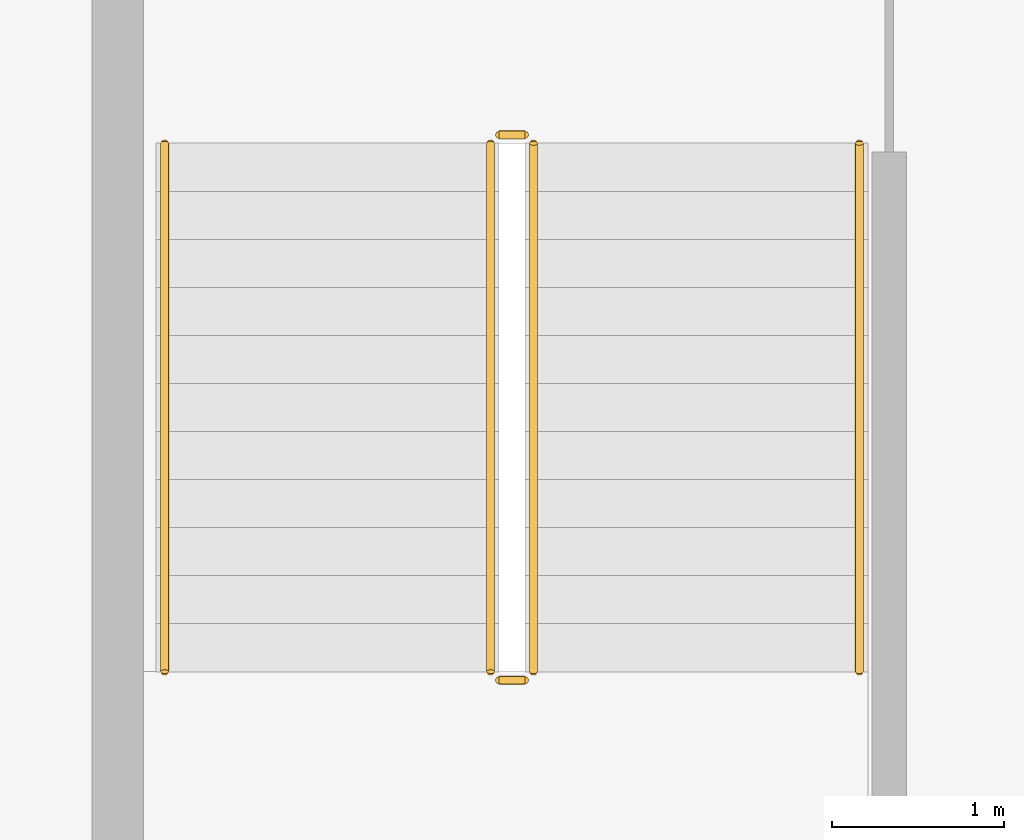
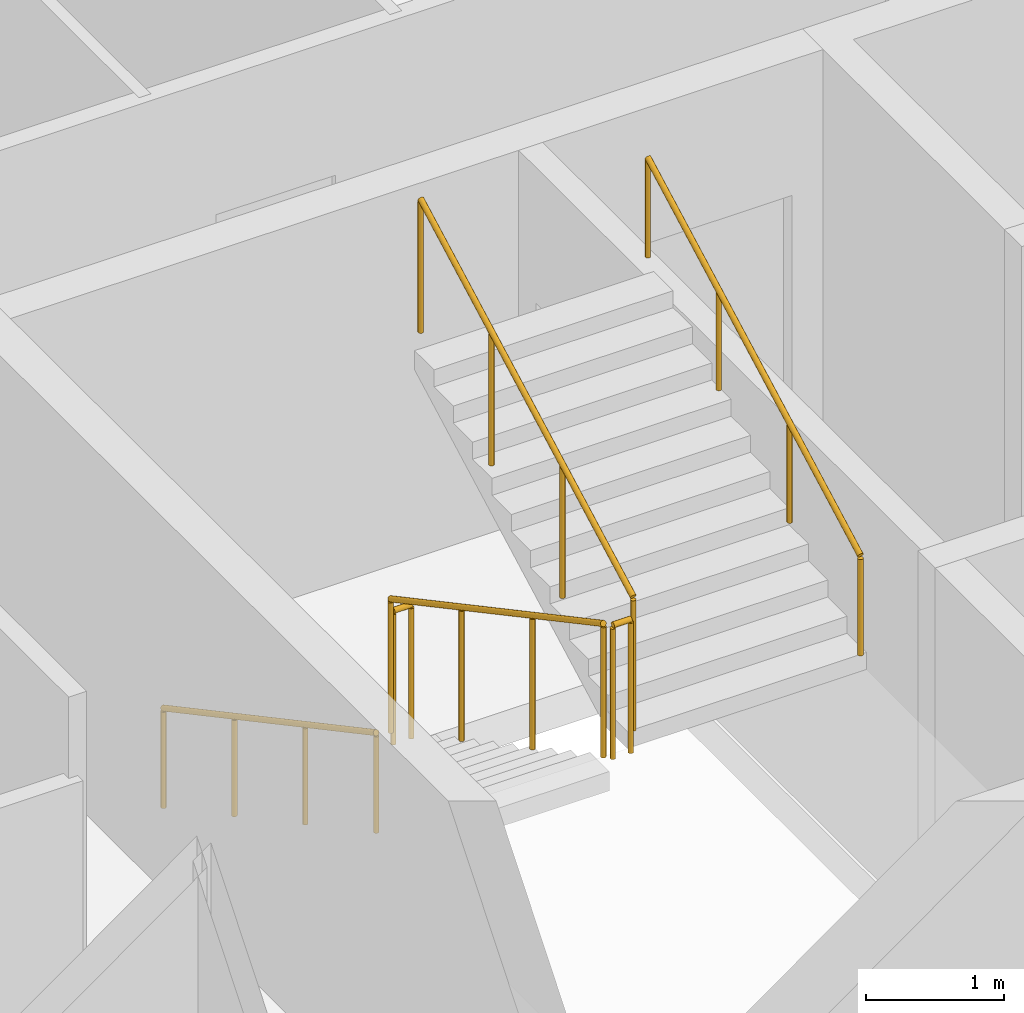
# One storey, part 13 of 15: 6 railings.
"""IFC4 building model written with IfcOpenShell, lengths in metres."""

from ifc_helpers import new_model, si_unit, direction, frame, origin, origin_2d, place, context, subcontext, project, spatial, circle, extrude, material, type_object, element, save


model = new_model("IFC4")

# Units and contexts
model_context = context("Model", 3, precision=1e-05, world=origin(), true_north=direction((0.0, 1.0)))
body_context = subcontext(model_context, "Body", "Model", "MODEL_VIEW")
ifc_project = project(units=[si_unit("LENGTHUNIT", "METRE"), si_unit("AREAUNIT", "SQUARE_METRE"), si_unit("VOLUMEUNIT", "CUBIC_METRE"), si_unit("PLANEANGLEUNIT", "RADIAN"), si_unit("MASSUNIT", "GRAM", prefix="KILO")], contexts=[model_context])

# Site, building, storey
site_placement = place(None, origin())
site = spatial("IfcSite", under=ifc_project, at=site_placement, CompositionType="ELEMENT")
building_placement = place(site_placement, origin())
building = spatial("IfcBuilding", under=site, at=building_placement, Name="Caravel Reach Hotel and Residences", CompositionType="ELEMENT")
storey_placement = place(building_placement, frame((0.0, 0.0, 111.60009765625)))
storey = spatial("IfcBuildingStorey", under=building, at=storey_placement, Name="L27", CompositionType="ELEMENT", Elevation=111.60009765625)

# Railings
ifc_material_1 = material(Name="Steel balustrade with glass infill", Category="steel")
railing_type_1 = type_object("IfcRailingType", Name="Guard 1200", PredefinedType="GUARDRAIL", material=ifc_material_1)
railing_1_placement = place(storey_placement, frame((20.175048828125, 29.35009765625, 0.14990234375)))
element("IfcRailing", 1, at=railing_1_placement, inside=storey, type_object=railing_type_1, Name="L27 ST-A stair guard 1", PredefinedType="GUARDRAIL", context=body_context, shape_type="SweptSolid", body=[
    extrude(circle(Radius=0.02392578125, at=origin_2d()), frame((0.0, 0.0, 1.17578125), z_axis=(0.0, -0.881496589024, 0.472190389079), x_axis=(1.0, 0.0, 0.0)), (0.0, 0.0, 1.0), 3.494140625),
    extrude(circle(Radius=0.02099609375, at=origin_2d()), origin(), (0.0, 0.0, 1.0), 1.15185546875),
    extrude(circle(Radius=0.02099609375, at=origin_2d()), frame((0.0, -1.026611328125, 0.550048828125)), (0.0, 0.0, 1.0), 1.15185546875),
    extrude(circle(Radius=0.02099609375, at=origin_2d()), frame((0.0, -2.053466796875, 1.099853515625)), (0.0, 0.0, 1.0), 1.15185546875),
    extrude(circle(Radius=0.02099609375, at=origin_2d()), frame((0.0, -3.080078125, 1.64990234375)), (0.0, 0.0, 1.0), 1.15185546875),
])
railing_2_placement = place(storey_placement, frame((20.22509765625, 26.219970703125, 1.7998046875)))
element("IfcRailing", 2, at=railing_2_placement, inside=storey, type_object=railing_type_1, Name="L27 ST-A stair guard 2", PredefinedType="GUARDRAIL", context=body_context, shape_type="SweptSolid", body=[
    extrude(circle(Radius=0.02392578125, at=origin_2d()), frame((0.0, 0.0, 1.17578125), z_axis=(1.0, 0.0, 0.0), x_axis=(0.0, 1.0, 0.0)), (0.0, 0.0, 1.0), 0.14990234375),
    extrude(circle(Radius=0.02099609375, at=origin_2d()), origin(), (0.0, 0.0, 1.0), 1.15185546875),
    extrude(circle(Radius=0.02099609375, at=origin_2d()), frame((0.14990234375, 0.0, 0.0)), (0.0, 0.0, 1.0), 1.15185546875),
])
railing_3_placement = place(storey_placement, frame((20.425048828125, 26.27001953125, 1.949951171875)))
element("IfcRailing", 3, at=railing_3_placement, inside=storey, type_object=railing_type_1, Name="L27 ST-A stair guard 3", PredefinedType="GUARDRAIL", context=body_context, shape_type="SweptSolid", body=[
    extrude(circle(Radius=0.02392578125, at=origin_2d()), frame((0.0, 0.0, 1.17578125), z_axis=(0.0, 0.881496589024, 0.472190389079), x_axis=(-1.0, 0.0, 0.0)), (0.0, 0.0, 1.0), 3.494140625),
    extrude(circle(Radius=0.02099609375, at=origin_2d()), origin(), (0.0, 0.0, 1.0), 1.15185546875),
    extrude(circle(Radius=0.02099609375, at=origin_2d()), frame((0.0, 1.026611328125, 0.550048828125)), (0.0, 0.0, 1.0), 1.15185546875),
    extrude(circle(Radius=0.02099609375, at=origin_2d()), frame((0.0, 2.053466796875, 1.099853515625)), (0.0, 0.0, 1.0), 1.15185546875),
    extrude(circle(Radius=0.02099609375, at=origin_2d()), frame((0.0, 3.080078125, 1.64990234375)), (0.0, 0.0, 1.0), 1.15185546875),
])
railing_4_placement = place(storey_placement, frame((20.22509765625, 29.39990234375, 0.0)))
element("IfcRailing", 4, at=railing_4_placement, inside=storey, type_object=railing_type_1, Name="L27 ST-A stair guard 4", PredefinedType="GUARDRAIL", context=body_context, shape_type="SweptSolid", body=[
    extrude(circle(Radius=0.02392578125, at=origin_2d()), frame((0.0, 0.0, 1.17578125), z_axis=(1.0, 0.0, 0.0), x_axis=(0.0, 1.0, 0.0)), (0.0, 0.0, 1.0), 0.14990234375),
    extrude(circle(Radius=0.02099609375, at=origin_2d()), origin(), (0.0, 0.0, 1.0), 1.15185546875),
    extrude(circle(Radius=0.02099609375, at=origin_2d()), frame((0.14990234375, 0.0, 0.0)), (0.0, 0.0, 1.0), 1.15185546875),
])
ifc_material_2 = material(Name="Stainless steel handrail", Category="steel")
railing_type_2 = type_object("IfcRailingType", Name="Handrail 900", PredefinedType="HANDRAIL", material=ifc_material_2)
railing_5_placement = place(storey_placement, frame((18.27490234375, 29.35009765625, 0.14990234375)))
element("IfcRailing", 5, at=railing_5_placement, inside=storey, type_object=railing_type_2, Name="L27 ST-A stair handrail 1", PredefinedType="HANDRAIL", context=body_context, shape_type="SweptSolid", body=[
    extrude(circle(Radius=0.02392578125, at=origin_2d()), frame((0.0, 0.0, 0.8759765625), z_axis=(0.0, -0.881496589024, 0.472190389079), x_axis=(1.0, 0.0, 0.0)), (0.0, 0.0, 1.0), 3.494140625),
    extrude(circle(Radius=0.02099609375, at=origin_2d()), origin(), (0.0, 0.0, 1.0), 0.851806640625),
    extrude(circle(Radius=0.02099609375, at=origin_2d()), frame((0.0, -1.026611328125, 0.550048828125)), (0.0, 0.0, 1.0), 0.851806640625),
    extrude(circle(Radius=0.02099609375, at=origin_2d()), frame((0.0, -2.053466796875, 1.099853515625)), (0.0, 0.0, 1.0), 0.851806640625),
    extrude(circle(Radius=0.02099609375, at=origin_2d()), frame((0.0, -3.080078125, 1.64990234375)), (0.0, 0.0, 1.0), 0.851806640625),
])
railing_6_placement = place(storey_placement, frame((22.324951171875, 26.27001953125, 1.949951171875)))
element("IfcRailing", 6, at=railing_6_placement, inside=storey, type_object=railing_type_2, Name="L27 ST-A stair handrail 2", PredefinedType="HANDRAIL", context=body_context, shape_type="SweptSolid", body=[
    extrude(circle(Radius=0.02392578125, at=origin_2d()), frame((0.0, 0.0, 0.8759765625), z_axis=(0.0, 0.881496589024, 0.472190389079), x_axis=(-1.0, 0.0, 0.0)), (0.0, 0.0, 1.0), 3.494140625),
    extrude(circle(Radius=0.02099609375, at=origin_2d()), origin(), (0.0, 0.0, 1.0), 0.851806640625),
    extrude(circle(Radius=0.02099609375, at=origin_2d()), frame((0.0, 1.026611328125, 0.550048828125)), (0.0, 0.0, 1.0), 0.851806640625),
    extrude(circle(Radius=0.02099609375, at=origin_2d()), frame((0.0, 2.053466796875, 1.099853515625)), (0.0, 0.0, 1.0), 0.851806640625),
    extrude(circle(Radius=0.02099609375, at=origin_2d()), frame((0.0, 3.080078125, 1.64990234375)), (0.0, 0.0, 1.0), 0.851806640625),
])

save(model, "model.ifc")
